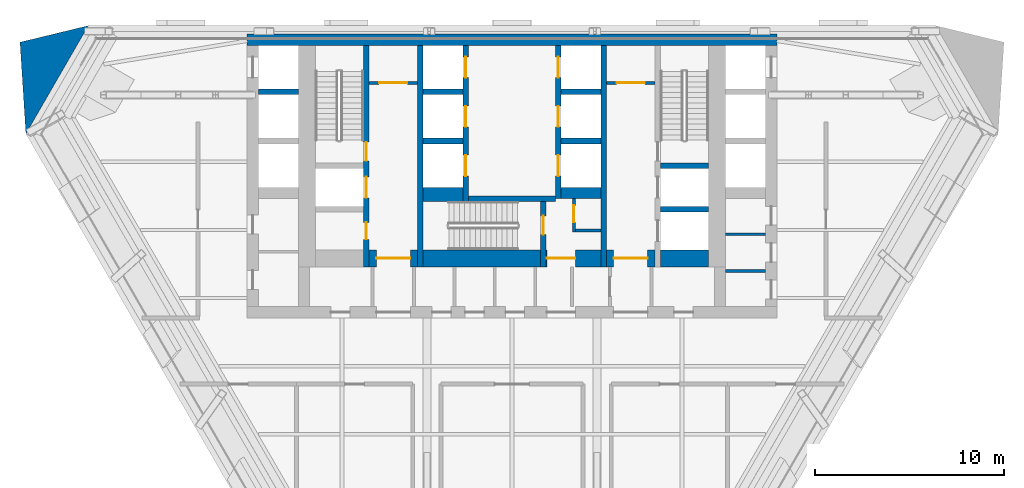
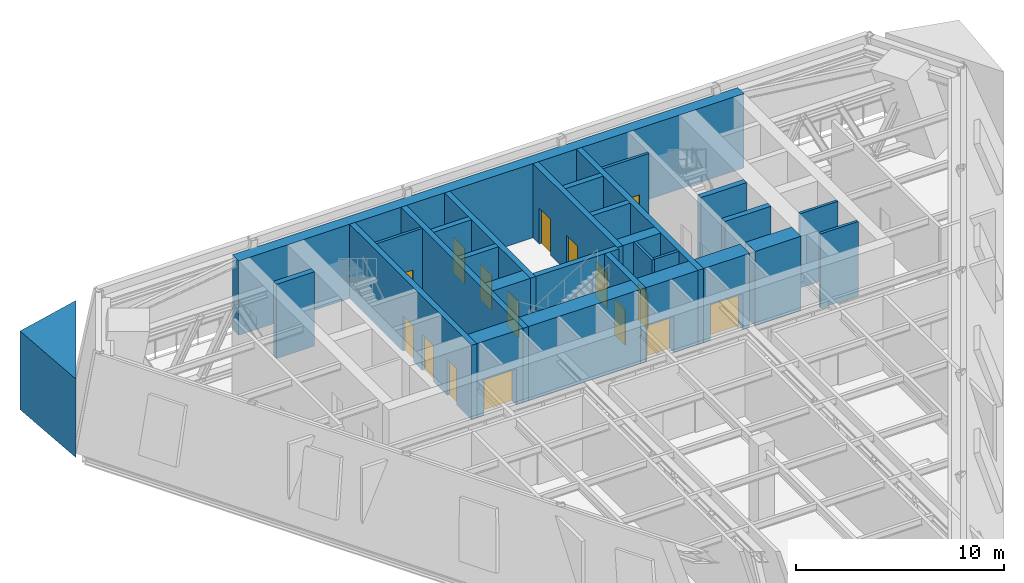
# One storey, part 4 of 9: 29 walls, 16 doors, 16 openings.
"""IFC4 building model written with IfcOpenShell, lengths in metres."""

from ifc_helpers import new_model, si_unit, direction, frame, frame_2d, origin, place, context, subcontext, project, spatial, polyline, rectangle, outline, extrude, material, layer, layer_set, type_object, element, fill, save


model = new_model("IFC4")

# Units and contexts
model_context = context("Model", 3, precision=1e-05, world=origin(), true_north=direction((0.0, 1.0)))
body_context = subcontext(model_context, "Body", "Model", "MODEL_VIEW")
ifc_project = project(units=[si_unit("LENGTHUNIT", "METRE"), si_unit("AREAUNIT", "SQUARE_METRE"), si_unit("VOLUMEUNIT", "CUBIC_METRE"), si_unit("PLANEANGLEUNIT", "RADIAN"), si_unit("MASSUNIT", "GRAM", prefix="KILO")], contexts=[model_context])

# Site, building, storey
site_placement = place(None, origin())
site = spatial("IfcSite", under=ifc_project, at=site_placement, CompositionType="ELEMENT")
building_placement = place(site_placement, origin())
building = spatial("IfcBuilding", under=site, at=building_placement, Name="Aloe Facet Convention Tower", CompositionType="ELEMENT")
storey_placement = place(building_placement, frame((0.0, 0.0, 77.0)))
storey = spatial("IfcBuildingStorey", under=building, at=storey_placement, Name="L18", CompositionType="ELEMENT", Elevation=77.0)

# Wall, opening, door
ifc_material_1 = material(Name="Concrete blockwork partition", Category="masonry")
ifc_layer_1 = layer(ifc_material_1, 0.14990234375)
ifc_layer_set_1 = layer_set([ifc_layer_1], Name="CR-W-PART150")
wall_type_1 = type_object("IfcWallType", Name="CR-W-PART150", PredefinedType="PARTITIONING", material=ifc_layer_set_1)
wall_1_placement = place(storey_placement, frame((72.449951171875, 131.97509765625, 0.0), z_axis=(0.0, 0.0, 1.0), x_axis=(1.0, 0.0, 0.0)))
wall_1 = element("IfcWall", 1, at=wall_1_placement, inside=storey, type_object=wall_type_1, Name="Core partition L18-014", PredefinedType="PARTITIONING", context=body_context, shape_type="SweptSolid", body=[
    extrude(rectangle(XDim=2.550048828125, YDim=0.14990234375, at=frame_2d((1.27490234375, 0.0))), origin(), (0.0, 0.0, 1.0), 4.35009765625),
])
opening_1_placement = place(wall_1_placement, frame((0.52490234375, 0.0, 0.0)))
opening_1 = element("IfcOpeningElement", 2, at=opening_1_placement, cuts=wall_1, Name="Opening L18-CD22", PredefinedType="OPENING", context=body_context, shape_type="SweptSolid", body=[
    extrude(rectangle(XDim=1.5, YDim=2.10009765625, at=frame_2d((0.75, 1.050048828125))), frame((0.0, 0.0849609375, 0.0), z_axis=(0.0, -1.0, 0.0), x_axis=(1.0, 0.0, 0.0)), (0.0, 0.0, 1.0), 0.169921875),
])
ifc_material_2 = material(Name="Steel fire-resisting door set FD60", Category="steel")
door_type_1 = type_object("IfcDoorType", Name="CR-D-REFUGE-1500-FD60-DD", OperationType="DOUBLE_DOOR_DOUBLE_SWING", PredefinedType="DOOR", material=ifc_material_2)
door_1_placement = place(opening_1_placement, origin())
door_1 = element("IfcDoor", 3, at=door_1_placement, inside=storey, type_object=door_type_1, Name="Core door L18-CD22", OperationType="DOUBLE_DOOR_DOUBLE_SWING", OverallHeight=2.10009765625, OverallWidth=1.5, PredefinedType="DOOR", context=body_context, shape_type="SweptSolid", body=[
    extrude(rectangle(XDim=1.5, YDim=2.10009765625, at=frame_2d((0.75, 1.050048828125))), frame((0.0, 0.02490234375, 0.0), z_axis=(0.0, -1.0, 0.0), x_axis=(1.0, 0.0, 0.0)), (0.0, 0.0, 1.0), 0.050048828125),
])
fill(opening_1, door_1)

wall_2_placement = place(storey_placement, frame((83.27490234375, 125.85009765625, 0.0), z_axis=(0.0, 0.0, 1.0), x_axis=(0.0, -1.0, 0.0)))
wall_2 = element("IfcWall", 4, at=wall_2_placement, inside=storey, type_object=wall_type_1, Name="Core partition L18-035", PredefinedType="PARTITIONING", context=body_context, shape_type="SweptSolid", body=[
    extrude(rectangle(XDim=1.75, YDim=0.14990234375, at=frame_2d((0.875, 0.0))), origin(), (0.0, 0.0, 1.0), 4.35009765625),
])
opening_2_placement = place(wall_2_placement, frame((0.35009765625, 0.0, 0.0)))
opening_2 = element("IfcOpeningElement", 5, at=opening_2_placement, cuts=wall_2, Name="Opening L18-CD20", PredefinedType="OPENING", context=body_context, shape_type="SweptSolid", body=[
    extrude(rectangle(XDim=0.89990234375, YDim=2.10009765625, at=frame_2d((0.449951171875, 1.050048828125))), frame((0.0, 0.0849609375, 0.0), z_axis=(0.0, -1.0, 0.0), x_axis=(1.0, 0.0, 0.0)), (0.0, 0.0, 1.0), 0.169921875),
])
ifc_material_3 = material(Name="Steel fire-resisting door set FD60", Category="steel")
door_type_2 = type_object("IfcDoorType", Name="CR-D-REFUGE-900-FD60-SRIGHT", OperationType="SINGLE_SWING_RIGHT", PredefinedType="DOOR", material=ifc_material_3)
door_2_placement = place(opening_2_placement, origin())
door_2 = element("IfcDoor", 6, at=door_2_placement, inside=storey, type_object=door_type_2, Name="Core door L18-CD20", OperationType="SINGLE_SWING_RIGHT", OverallHeight=2.10009765625, OverallWidth=0.89990234375, PredefinedType="DOOR", context=body_context, shape_type="SweptSolid", body=[
    extrude(rectangle(XDim=0.89990234375, YDim=2.10009765625, at=frame_2d((0.449951171875, 1.050048828125))), frame((0.0, 0.02490234375, 0.0), z_axis=(0.0, -1.0, 0.0), x_axis=(1.0, 0.0, 0.0)), (0.0, 0.0, 1.0), 0.050048828125),
])
fill(opening_2, door_2)

# Wall
wall_3_placement = place(storey_placement, frame((83.35009765625, 124.175048828125, 0.0), z_axis=(0.0, 0.0, 1.0), x_axis=(1.0, 0.0, 0.0)))
element("IfcWall", 7, at=wall_3_placement, inside=storey, type_object=wall_type_1, Name="Core partition L18-036", PredefinedType="PARTITIONING", context=body_context, shape_type="SweptSolid", body=[
    extrude(rectangle(XDim=1.349853515625, YDim=0.14990234375, at=frame_2d((0.6748046875, 0.0))), origin(), (0.0, 0.0, 1.0), 4.35009765625),
])

# Wall, opening, door
wall_4_placement = place(storey_placement, frame((85.0, 131.97509765625, 0.0), z_axis=(0.0, 0.0, 1.0), x_axis=(1.0, 0.0, 0.0)))
wall_4 = element("IfcWall", 8, at=wall_4_placement, inside=storey, type_object=wall_type_1, Name="Core partition L18-038", PredefinedType="PARTITIONING", context=body_context, shape_type="SweptSolid", body=[
    extrude(rectangle(XDim=2.550048828125, YDim=0.14990234375, at=frame_2d((1.27490234375, 0.0))), origin(), (0.0, 0.0, 1.0), 4.35009765625),
])
opening_3_placement = place(wall_4_placement, frame((0.52490234375, 0.0, 0.0)))
opening_3 = element("IfcOpeningElement", 9, at=opening_3_placement, cuts=wall_4, Name="Opening L18-CD21", PredefinedType="OPENING", context=body_context, shape_type="SweptSolid", body=[
    extrude(rectangle(XDim=1.5, YDim=2.10009765625, at=frame_2d((0.75, 1.050048828125))), frame((0.0, 0.0849609375, 0.0), z_axis=(0.0, -1.0, 0.0), x_axis=(1.0, 0.0, 0.0)), (0.0, 0.0, 1.0), 0.169921875),
])
door_3_placement = place(opening_3_placement, origin())
door_3 = element("IfcDoor", 10, at=door_3_placement, inside=storey, type_object=door_type_1, Name="Core door L18-CD21", OperationType="DOUBLE_DOOR_DOUBLE_SWING", OverallHeight=2.10009765625, OverallWidth=1.5, PredefinedType="DOOR", context=body_context, shape_type="SweptSolid", body=[
    extrude(rectangle(XDim=1.5, YDim=2.10009765625, at=frame_2d((0.75, 1.050048828125))), frame((0.0, 0.02490234375, 0.0), z_axis=(0.0, -1.0, 0.0), x_axis=(1.0, 0.0, 0.0)), (0.0, 0.0, 1.0), 0.050048828125),
])
fill(opening_3, door_3)

# Walls
for number, where, z_axis, x_axis, name in (
    (11, (91.300048828125, 123.97509765625, 0.0), (0.0, 0.0, 1.0), (1.0, 0.0, 0.0), "Core partition L18-051"),
    (12, (91.300048828125, 122.02490234375, 0.0), (0.0, 0.0, 1.0), (1.0, 0.0, 0.0), "Core partition L18-052"),
):
    element("IfcWall", number, at=place(storey_placement, frame(where, z_axis=z_axis, x_axis=x_axis)), inside=storey, type_object=wall_type_1, Name=name, PredefinedType="PARTITIONING", context=body_context, shape_type="SweptSolid", body=[
        extrude(rectangle(XDim=2.099853515625, YDim=0.14990234375, at=frame_2d((1.0498046875, 0.0))), origin(), (0.0, 0.0, 1.0), 4.35009765625),
    ])
ifc_material_4 = material(Name="Concrete C80/95", Category="concrete")
ifc_layer_2 = layer(ifc_material_4, 0.300048828125)
ifc_layer_set_2 = layer_set([ifc_layer_2], Name="CR-W-RC300-C8095")
wall_type_2 = type_object("IfcWallType", Name="CR-W-RC300-C8095", PredefinedType="SOLIDWALL", material=ifc_layer_set_2)
wall_5_placement = place(storey_placement, frame((66.60009765625, 131.5, 0.0), z_axis=(0.0, 0.0, 1.0), x_axis=(1.0, 0.0, 0.0)))
element("IfcWall", 13, at=wall_5_placement, inside=storey, type_object=wall_type_2, Name="Core wall L18-004", PredefinedType="SOLIDWALL", context=body_context, shape_type="SweptSolid", body=[
    extrude(rectangle(XDim=2.099853515625, YDim=0.300048828125, at=frame_2d((1.0498046875, 0.0))), origin(), (0.0, 0.0, 1.0), 4.35009765625),
])

# Wall, openings, doors
wall_6_placement = place(storey_placement, frame((72.300048828125, 133.949951171875, 0.0), z_axis=(0.0, 0.0, 1.0), x_axis=(0.0, -1.0, 0.0)))
wall_6 = element("IfcWall", 14, at=wall_6_placement, inside=storey, type_object=wall_type_2, Name="Core wall L18-013", PredefinedType="SOLIDWALL", context=body_context, shape_type="SweptSolid", body=[
    extrude(rectangle(XDim=11.699951171875, YDim=0.300048828125, at=frame_2d((5.85009765625, 0.0))), origin(), (0.0, 0.0, 1.0), 4.35009765625),
])
opening_4_placement = place(wall_6_placement, frame((6.949951171875, 0.0, 0.0)))
opening_4 = element("IfcOpeningElement", 15, at=opening_4_placement, cuts=wall_6, Name="Opening LD-FF1-L18", PredefinedType="OPENING", context=body_context, shape_type="SweptSolid", body=[
    extrude(rectangle(XDim=1.10009765625, YDim=2.10009765625, at=frame_2d((0.550048828125, 1.050048828125))), frame((0.0, 0.16015625, 0.0), z_axis=(0.0, -1.0, 0.0), x_axis=(1.0, 0.0, 0.0)), (0.0, 0.0, 1.0), 0.320068359375),
])
opening_5_placement = place(wall_6_placement, frame((9.35009765625, 0.0, 0.0)))
opening_5 = element("IfcOpeningElement", 16, at=opening_5_placement, cuts=wall_6, Name="Opening L18-CD23", PredefinedType="OPENING", context=body_context, shape_type="SweptSolid", body=[
    extrude(rectangle(XDim=0.89990234375, YDim=2.10009765625, at=frame_2d((0.449951171875, 1.050048828125))), frame((0.0, 0.16015625, 0.0), z_axis=(0.0, -1.0, 0.0), x_axis=(1.0, 0.0, 0.0)), (0.0, 0.0, 1.0), 0.320068359375),
])
opening_6_placement = place(wall_6_placement, frame((5.10009765625, 0.0, 0.0)))
opening_6 = element("IfcOpeningElement", 17, at=opening_6_placement, cuts=wall_6, Name="Opening L18-CD30", PredefinedType="OPENING", context=body_context, shape_type="SweptSolid", body=[
    extrude(rectangle(XDim=1.0, YDim=2.10009765625, at=frame_2d((0.5, 1.050048828125))), frame((0.0, 0.16015625, 0.0), z_axis=(0.0, -1.0, 0.0), x_axis=(1.0, 0.0, 0.0)), (0.0, 0.0, 1.0), 0.320068359375),
])
ifc_material_5 = material(Name="Steel fire-resisting door set FD60", Category="steel")
door_type_3 = type_object("IfcDoorType", Name="CR-D-ROOM-900-FD60-SLEFT", OperationType="SINGLE_SWING_LEFT", PredefinedType="DOOR", material=ifc_material_5)
door_4_placement = place(opening_5_placement, origin())
door_4 = element("IfcDoor", 18, at=door_4_placement, inside=storey, type_object=door_type_3, Name="Core door L18-CD23", OperationType="SINGLE_SWING_LEFT", OverallHeight=2.10009765625, OverallWidth=0.89990234375, PredefinedType="DOOR", context=body_context, shape_type="SweptSolid", body=[
    extrude(rectangle(XDim=0.89990234375, YDim=2.10009765625, at=frame_2d((0.449951171875, 1.050048828125))), frame((0.0, 0.02490234375, 0.0), z_axis=(0.0, -1.0, 0.0), x_axis=(1.0, 0.0, 0.0)), (0.0, 0.0, 1.0), 0.050048828125),
])
fill(opening_5, door_4)
ifc_material_6 = material(Name="Steel fire-resisting door set FD120", Category="steel")
door_type_4 = type_object("IfcDoorType", Name="CR-D-STAIR-1000-FD120-SRIGHT", OperationType="SINGLE_SWING_RIGHT", PredefinedType="DOOR", material=ifc_material_6)
door_5_placement = place(opening_6_placement, origin())
door_5 = element("IfcDoor", 19, at=door_5_placement, inside=storey, type_object=door_type_4, Name="Core door L18-CD30", OperationType="SINGLE_SWING_RIGHT", OverallHeight=2.10009765625, OverallWidth=1.0, PredefinedType="DOOR", context=body_context, shape_type="SweptSolid", body=[
    extrude(rectangle(XDim=1.0, YDim=2.10009765625, at=frame_2d((0.5, 1.050048828125))), frame((0.0, 0.02490234375, 0.0), z_axis=(0.0, -1.0, 0.0), x_axis=(1.0, 0.0, 0.0)), (0.0, 0.0, 1.0), 0.050048828125),
])
fill(opening_6, door_5)
ifc_material_7 = material(Name="Stainless steel sliding landing door", Category="steel")
door_type_5 = type_object("IfcDoorType", Name="CR-LD-1100-FD120-_LEFT", OperationType="SLIDING_TO_LEFT", PredefinedType="DOOR", material=ifc_material_7)
door_6_placement = place(opening_4_placement, origin())
door_6 = element("IfcDoor", 20, at=door_6_placement, inside=storey, type_object=door_type_5, Name="Landing door FF1 L18", OperationType="SLIDING_TO_LEFT", OverallHeight=2.10009765625, OverallWidth=1.10009765625, PredefinedType="DOOR", context=body_context, shape_type="SweptSolid", body=[
    extrude(rectangle(XDim=1.10009765625, YDim=2.10009765625, at=frame_2d((0.550048828125, 1.050048828125))), frame((0.0, 0.02490234375, 0.0), z_axis=(0.0, -1.0, 0.0), x_axis=(1.0, 0.0, 0.0)), (0.0, 0.0, 1.0), 0.050048828125),
])
fill(opening_4, door_6)

# Walls
wall_7_placement = place(storey_placement, frame((75.14990234375, 133.949951171875, 0.0), z_axis=(0.0, 0.0, 1.0), x_axis=(0.0, -1.0, 0.0)))
element("IfcWall", 21, at=wall_7_placement, inside=storey, type_object=wall_type_2, Name="Core wall L18-018", PredefinedType="SOLIDWALL", context=body_context, shape_type="SweptSolid", body=[
    extrude(rectangle(XDim=11.699951171875, YDim=0.300048828125, at=frame_2d((5.85009765625, 0.0))), origin(), (0.0, 0.0, 1.0), 4.35009765625),
])
for number, where, z_axis, x_axis, name in (
    (22, (75.300048828125, 131.5, 0.0), (0.0, 0.0, 1.0), (1.0, 0.0, 0.0), "Core wall L18-019"),
    (23, (75.300048828125, 128.89990234375, 0.0), (0.0, 0.0, 1.0), (1.0, 0.0, 0.0), "Core wall L18-020"),
):
    element("IfcWall", number, at=place(storey_placement, frame(where, z_axis=z_axis, x_axis=x_axis)), inside=storey, type_object=wall_type_2, Name=name, PredefinedType="SOLIDWALL", context=body_context, shape_type="SweptSolid", body=[
        extrude(rectangle(XDim=2.099853515625, YDim=0.300048828125, at=frame_2d((1.0498046875, 0.0))), origin(), (0.0, 0.0, 1.0), 4.35009765625),
    ])

# Wall, openings, doors
wall_8_placement = place(storey_placement, frame((77.550048828125, 133.949951171875, 0.0), z_axis=(0.0, 0.0, 1.0), x_axis=(0.0, -1.0, 0.0)))
wall_8 = element("IfcWall", 24, at=wall_8_placement, inside=storey, type_object=wall_type_2, Name="Core wall L18-024", PredefinedType="SOLIDWALL", context=body_context, shape_type="SweptSolid", body=[
    extrude(rectangle(XDim=8.25, YDim=0.300048828125, at=frame_2d((4.125, 0.0))), origin(), (0.0, 0.0, 1.0), 4.35009765625),
])
opening_7_placement = place(wall_8_placement, frame((0.60009765625, 0.0, 0.0)))
opening_7 = element("IfcOpeningElement", 25, at=opening_7_placement, cuts=wall_8, Name="Opening LD-A1-L18", PredefinedType="OPENING", context=body_context, shape_type="SweptSolid", body=[
    extrude(rectangle(XDim=1.10009765625, YDim=2.10009765625, at=frame_2d((0.550048828125, 1.050048828125))), frame((0.0, 0.16015625, 0.0), z_axis=(0.0, -1.0, 0.0), x_axis=(1.0, 0.0, 0.0)), (0.0, 0.0, 1.0), 0.320068359375),
])
opening_8_placement = place(wall_8_placement, frame((3.199951171875, 0.0, 0.0)))
opening_8 = element("IfcOpeningElement", 26, at=opening_8_placement, cuts=wall_8, Name="Opening LD-A2-L18", PredefinedType="OPENING", context=body_context, shape_type="SweptSolid", body=[
    extrude(rectangle(XDim=1.10009765625, YDim=2.10009765625, at=frame_2d((0.550048828125, 1.050048828125))), frame((0.0, 0.16015625, 0.0), z_axis=(0.0, -1.0, 0.0), x_axis=(1.0, 0.0, 0.0)), (0.0, 0.0, 1.0), 0.320068359375),
])
opening_9_placement = place(wall_8_placement, frame((5.800048828125, 0.0, 0.0)))
opening_9 = element("IfcOpeningElement", 27, at=opening_9_placement, cuts=wall_8, Name="Opening LD-A3-L18", PredefinedType="OPENING", context=body_context, shape_type="SweptSolid", body=[
    extrude(rectangle(XDim=1.10009765625, YDim=2.10009765625, at=frame_2d((0.550048828125, 1.050048828125))), frame((0.0, 0.16015625, 0.0), z_axis=(0.0, -1.0, 0.0), x_axis=(1.0, 0.0, 0.0)), (0.0, 0.0, 1.0), 0.320068359375),
])
ifc_material_8 = material(Name="Stainless steel sliding landing door", Category="steel")
door_type_6 = type_object("IfcDoorType", Name="CR-LD-1100-FD60-RIGHT", OperationType="SLIDING_TO_RIGHT", PredefinedType="DOOR", material=ifc_material_8)
door_7_placement = place(opening_7_placement, origin())
door_7 = element("IfcDoor", 28, at=door_7_placement, inside=storey, type_object=door_type_6, Name="Landing door A1 L18", OperationType="SLIDING_TO_RIGHT", OverallHeight=2.10009765625, OverallWidth=1.10009765625, PredefinedType="DOOR", context=body_context, shape_type="SweptSolid", body=[
    extrude(rectangle(XDim=1.10009765625, YDim=2.10009765625, at=frame_2d((0.550048828125, 1.050048828125))), frame((0.0, 0.02490234375, 0.0), z_axis=(0.0, -1.0, 0.0), x_axis=(1.0, 0.0, 0.0)), (0.0, 0.0, 1.0), 0.050048828125),
])
fill(opening_7, door_7)
door_8_placement = place(opening_8_placement, origin())
door_8 = element("IfcDoor", 29, at=door_8_placement, inside=storey, type_object=door_type_6, Name="Landing door A2 L18", OperationType="SLIDING_TO_RIGHT", OverallHeight=2.10009765625, OverallWidth=1.10009765625, PredefinedType="DOOR", context=body_context, shape_type="SweptSolid", body=[
    extrude(rectangle(XDim=1.10009765625, YDim=2.10009765625, at=frame_2d((0.550048828125, 1.050048828125))), frame((0.0, 0.02490234375, 0.0), z_axis=(0.0, -1.0, 0.0), x_axis=(1.0, 0.0, 0.0)), (0.0, 0.0, 1.0), 0.050048828125),
])
fill(opening_8, door_8)
door_9_placement = place(opening_9_placement, origin())
door_9 = element("IfcDoor", 30, at=door_9_placement, inside=storey, type_object=door_type_6, Name="Landing door A3 L18", OperationType="SLIDING_TO_RIGHT", OverallHeight=2.10009765625, OverallWidth=1.10009765625, PredefinedType="DOOR", context=body_context, shape_type="SweptSolid", body=[
    extrude(rectangle(XDim=1.10009765625, YDim=2.10009765625, at=frame_2d((0.550048828125, 1.050048828125))), frame((0.0, 0.02490234375, 0.0), z_axis=(0.0, -1.0, 0.0), x_axis=(1.0, 0.0, 0.0)), (0.0, 0.0, 1.0), 0.050048828125),
])
fill(opening_9, door_9)

# Wall
wall_9_placement = place(storey_placement, frame((77.699951171875, 125.85009765625, 0.0), z_axis=(0.0, 0.0, 1.0), x_axis=(1.0, 0.0, 0.0)))
element("IfcWall", 31, at=wall_9_placement, inside=storey, type_object=wall_type_2, Name="Core wall L18-025", PredefinedType="SOLIDWALL", context=body_context, shape_type="SweptSolid", body=[
    extrude(rectangle(XDim=4.60009765625, YDim=0.300048828125, at=frame_2d((2.300048828125, 0.0))), origin(), (0.0, 0.0, 1.0), 4.35009765625),
])

# Wall, opening, door
wall_10_placement = place(storey_placement, frame((81.64990234375, 125.699951171875, 0.0), z_axis=(0.0, 0.0, 1.0), x_axis=(0.0, -1.0, 0.0)))
wall_10 = element("IfcWall", 32, at=wall_10_placement, inside=storey, type_object=wall_type_2, Name="Core wall L18-028", PredefinedType="SOLIDWALL", context=body_context, shape_type="SweptSolid", body=[
    extrude(rectangle(XDim=3.449951171875, YDim=0.300048828125, at=frame_2d((1.72509765625, 0.0))), origin(), (0.0, 0.0, 1.0), 4.35009765625),
])
opening_10_placement = place(wall_10_placement, frame((0.75, 0.0, 0.0)))
opening_10 = element("IfcOpeningElement", 33, at=opening_10_placement, cuts=wall_10, Name="Opening L18-CD32", PredefinedType="OPENING", context=body_context, shape_type="SweptSolid", body=[
    extrude(rectangle(XDim=1.0, YDim=2.10009765625, at=frame_2d((0.5, 1.050048828125))), frame((0.0, 0.16015625, 0.0), z_axis=(0.0, -1.0, 0.0), x_axis=(1.0, 0.0, 0.0)), (0.0, 0.0, 1.0), 0.320068359375),
])
ifc_material_9 = material(Name="Steel fire-resisting door set FD120", Category="steel")
door_type_7 = type_object("IfcDoorType", Name="CR-D-STAIR-1000-FD120-SLEFT", OperationType="SINGLE_SWING_LEFT", PredefinedType="DOOR", material=ifc_material_9)
door_10_placement = place(opening_10_placement, origin())
door_10 = element("IfcDoor", 34, at=door_10_placement, inside=storey, type_object=door_type_7, Name="Core door L18-CD32", OperationType="SINGLE_SWING_LEFT", OverallHeight=2.10009765625, OverallWidth=1.0, PredefinedType="DOOR", context=body_context, shape_type="SweptSolid", body=[
    extrude(rectangle(XDim=1.0, YDim=2.10009765625, at=frame_2d((0.5, 1.050048828125))), frame((0.0, 0.02490234375, 0.0), z_axis=(0.0, -1.0, 0.0), x_axis=(1.0, 0.0, 0.0)), (0.0, 0.0, 1.0), 0.050048828125),
])
fill(opening_10, door_10)

# Wall, openings, doors
wall_11_placement = place(storey_placement, frame((82.449951171875, 133.949951171875, 0.0), z_axis=(0.0, 0.0, 1.0), x_axis=(0.0, -1.0, 0.0)))
wall_11 = element("IfcWall", 35, at=wall_11_placement, inside=storey, type_object=wall_type_2, Name="Core wall L18-030", PredefinedType="SOLIDWALL", context=body_context, shape_type="SweptSolid", body=[
    extrude(rectangle(XDim=8.099853515625, YDim=0.300048828125, at=frame_2d((4.0498046875, 0.0))), origin(), (0.0, 0.0, 1.0), 4.35009765625),
])
opening_11_placement = place(wall_11_placement, frame((0.60009765625, 0.0, 0.0)))
opening_11 = element("IfcOpeningElement", 36, at=opening_11_placement, cuts=wall_11, Name="Opening LD-A4-L18", PredefinedType="OPENING", context=body_context, shape_type="SweptSolid", body=[
    extrude(rectangle(XDim=1.10009765625, YDim=2.10009765625, at=frame_2d((0.550048828125, 1.050048828125))), frame((0.0, 0.16015625, 0.0), z_axis=(0.0, -1.0, 0.0), x_axis=(1.0, 0.0, 0.0)), (0.0, 0.0, 1.0), 0.320068359375),
])
opening_12_placement = place(wall_11_placement, frame((3.199951171875, 0.0, 0.0)))
opening_12 = element("IfcOpeningElement", 37, at=opening_12_placement, cuts=wall_11, Name="Opening LD-A5-L18", PredefinedType="OPENING", context=body_context, shape_type="SweptSolid", body=[
    extrude(rectangle(XDim=1.10009765625, YDim=2.10009765625, at=frame_2d((0.550048828125, 1.050048828125))), frame((0.0, 0.16015625, 0.0), z_axis=(0.0, -1.0, 0.0), x_axis=(1.0, 0.0, 0.0)), (0.0, 0.0, 1.0), 0.320068359375),
])
opening_13_placement = place(wall_11_placement, frame((5.800048828125, 0.0, 0.0)))
opening_13 = element("IfcOpeningElement", 38, at=opening_13_placement, cuts=wall_11, Name="Opening LD-A6-L18", PredefinedType="OPENING", context=body_context, shape_type="SweptSolid", body=[
    extrude(rectangle(XDim=1.10009765625, YDim=2.10009765625, at=frame_2d((0.550048828125, 1.050048828125))), frame((0.0, 0.16015625, 0.0), z_axis=(0.0, -1.0, 0.0), x_axis=(1.0, 0.0, 0.0)), (0.0, 0.0, 1.0), 0.320068359375),
])
ifc_material_10 = material(Name="Stainless steel sliding landing door", Category="steel")
door_type_8 = type_object("IfcDoorType", Name="CR-LD-1100-FD60-_LEFT", OperationType="SLIDING_TO_LEFT", PredefinedType="DOOR", material=ifc_material_10)
door_11_placement = place(opening_11_placement, origin())
door_11 = element("IfcDoor", 39, at=door_11_placement, inside=storey, type_object=door_type_8, Name="Landing door A4 L18", OperationType="SLIDING_TO_LEFT", OverallHeight=2.10009765625, OverallWidth=1.10009765625, PredefinedType="DOOR", context=body_context, shape_type="SweptSolid", body=[
    extrude(rectangle(XDim=1.10009765625, YDim=2.10009765625, at=frame_2d((0.550048828125, 1.050048828125))), frame((0.0, 0.02490234375, 0.0), z_axis=(0.0, -1.0, 0.0), x_axis=(1.0, 0.0, 0.0)), (0.0, 0.0, 1.0), 0.050048828125),
])
fill(opening_11, door_11)
door_12_placement = place(opening_12_placement, origin())
door_12 = element("IfcDoor", 40, at=door_12_placement, inside=storey, type_object=door_type_8, Name="Landing door A5 L18", OperationType="SLIDING_TO_LEFT", OverallHeight=2.10009765625, OverallWidth=1.10009765625, PredefinedType="DOOR", context=body_context, shape_type="SweptSolid", body=[
    extrude(rectangle(XDim=1.10009765625, YDim=2.10009765625, at=frame_2d((0.550048828125, 1.050048828125))), frame((0.0, 0.02490234375, 0.0), z_axis=(0.0, -1.0, 0.0), x_axis=(1.0, 0.0, 0.0)), (0.0, 0.0, 1.0), 0.050048828125),
])
fill(opening_12, door_12)
door_13_placement = place(opening_13_placement, origin())
door_13 = element("IfcDoor", 41, at=door_13_placement, inside=storey, type_object=door_type_8, Name="Landing door A6 L18", OperationType="SLIDING_TO_LEFT", OverallHeight=2.10009765625, OverallWidth=1.10009765625, PredefinedType="DOOR", context=body_context, shape_type="SweptSolid", body=[
    extrude(rectangle(XDim=1.10009765625, YDim=2.10009765625, at=frame_2d((0.550048828125, 1.050048828125))), frame((0.0, 0.02490234375, 0.0), z_axis=(0.0, -1.0, 0.0), x_axis=(1.0, 0.0, 0.0)), (0.0, 0.0, 1.0), 0.050048828125),
])
fill(opening_13, door_13)

# Walls
for number, where, z_axis, x_axis, name in (
    (42, (82.60009765625, 131.5, 0.0), (0.0, 0.0, 1.0), (1.0, 0.0, 0.0), "Core wall L18-031"),
    (43, (82.60009765625, 128.89990234375, 0.0), (0.0, 0.0, 1.0), (1.0, 0.0, 0.0), "Core wall L18-032"),
):
    element("IfcWall", number, at=place(storey_placement, frame(where, z_axis=z_axis, x_axis=x_axis)), inside=storey, type_object=wall_type_2, Name=name, PredefinedType="SOLIDWALL", context=body_context, shape_type="SweptSolid", body=[
        extrude(rectangle(XDim=2.099853515625, YDim=0.300048828125, at=frame_2d((1.0498046875, 0.0))), origin(), (0.0, 0.0, 1.0), 4.35009765625),
    ])
wall_12_placement = place(storey_placement, frame((84.85009765625, 133.949951171875, 0.0), z_axis=(0.0, 0.0, 1.0), x_axis=(0.0, -1.0, 0.0)))
element("IfcWall", 44, at=wall_12_placement, inside=storey, type_object=wall_type_2, Name="Core wall L18-037", PredefinedType="SOLIDWALL", context=body_context, shape_type="SweptSolid", body=[
    extrude(rectangle(XDim=11.699951171875, YDim=0.300048828125, at=frame_2d((5.85009765625, 0.0))), origin(), (0.0, 0.0, 1.0), 4.35009765625),
])
for number, where, z_axis, x_axis, name in (
    (45, (87.85009765625, 127.60009765625, 0.0), (0.0, 0.0, 1.0), (1.0, 0.0, 0.0), "Core wall L18-043"),
    (46, (87.85009765625, 125.300048828125, 0.0), (0.0, 0.0, 1.0), (1.0, 0.0, 0.0), "Core wall L18-044"),
):
    element("IfcWall", number, at=place(storey_placement, frame(where, z_axis=z_axis, x_axis=x_axis)), inside=storey, type_object=wall_type_2, Name=name, PredefinedType="SOLIDWALL", context=body_context, shape_type="SweptSolid", body=[
        extrude(rectangle(XDim=2.5498046875, YDim=0.300048828125, at=frame_2d((1.27490234375, 0.0))), origin(), (0.0, 0.0, 1.0), 4.35009765625),
    ])
ifc_material_11 = material(Name="Concrete C80/95", Category="concrete")
ifc_layer_3 = layer(ifc_material_11, 0.60009765625)
ifc_layer_set_3 = layer_set([ifc_layer_3], Name="CR-W-RC600-C8095")
wall_type_3 = type_object("IfcWallType", Name="CR-W-RC600-C8095", PredefinedType="SOLIDWALL", material=ifc_layer_set_3)
wall_13_placement = place(storey_placement, frame((66.0, 134.25, 0.0), z_axis=(0.0, 0.0, 1.0), x_axis=(1.0, 0.0, 0.0)))
element("IfcWall", 47, at=wall_13_placement, inside=storey, type_object=wall_type_3, Name="Core wall L18-001", PredefinedType="SOLIDWALL", context=body_context, shape_type="SweptSolid", body=[
    extrude(rectangle(XDim=28.0, YDim=0.60009765625, at=frame_2d((14.0, 0.0))), origin(), (0.0, 0.0, 1.0), 4.35009765625),
])
wall_14_placement = place(storey_placement, frame((82.60009765625, 126.14990234375, 0.0), z_axis=(0.0, 0.0, 1.0), x_axis=(1.0, 0.0, 0.0)))
element("IfcWall", 48, at=wall_14_placement, inside=storey, type_object=wall_type_3, Name="Core wall L18-033", PredefinedType="SOLIDWALL", context=body_context, shape_type="SweptSolid", body=[
    extrude(rectangle(XDim=2.099853515625, YDim=0.60009765625, at=frame_2d((1.0498046875, 0.0))), origin(), (0.0, 0.0, 1.0), 4.35009765625),
])
ifc_material_12 = material(Name="Concrete C80/95", Category="concrete")
ifc_layer_4 = layer(ifc_material_12, 0.75)
ifc_layer_set_4 = layer_set([ifc_layer_4], Name="CR-W-RC750-C8095")
wall_type_4 = type_object("IfcWallType", Name="CR-W-RC750-C8095", PredefinedType="SOLIDWALL", material=ifc_layer_set_4)
wall_15_placement = place(storey_placement, frame((75.300048828125, 126.074951171875, 0.0), z_axis=(0.0, 0.0, 1.0), x_axis=(1.0, 0.0, 0.0)))
element("IfcWall", 49, at=wall_15_placement, inside=storey, type_object=wall_type_4, Name="Core wall L18-021", PredefinedType="SOLIDWALL", context=body_context, shape_type="SweptSolid", body=[
    extrude(rectangle(XDim=2.099853515625, YDim=0.75, at=frame_2d((1.0498046875, 0.0))), origin(), (0.0, 0.0, 1.0), 4.35009765625),
])

# Wall, opening, door
ifc_material_13 = material(Name="Concrete C80/95", Category="concrete")
ifc_layer_5 = layer(ifc_material_13, 0.89990234375)
ifc_layer_set_5 = layer_set([ifc_layer_5], Name="CR-W-RC900-C8095")
wall_type_5 = type_object("IfcWallType", Name="CR-W-RC900-C8095", PredefinedType="SOLIDWALL", material=ifc_layer_set_5)
wall_16_placement = place(storey_placement, frame((72.449951171875, 122.699951171875, 0.0), z_axis=(0.0, 0.0, 1.0), x_axis=(1.0, 0.0, 0.0)))
wall_16 = element("IfcWall", 50, at=wall_16_placement, inside=storey, type_object=wall_type_5, Name="Core wall L18-015", PredefinedType="SOLIDWALL", context=body_context, shape_type="SweptSolid", body=[
    extrude(rectangle(XDim=2.550048828125, YDim=0.89990234375, at=frame_2d((1.27490234375, 0.0))), origin(), (0.0, 0.0, 1.0), 4.35009765625),
])
opening_14_placement = place(wall_16_placement, frame((0.375, 0.0, 0.0)))
opening_14 = element("IfcOpeningElement", 51, at=opening_14_placement, cuts=wall_16, Name="Opening L18-CD15", PredefinedType="OPENING", context=body_context, shape_type="SweptSolid", body=[
    extrude(rectangle(XDim=1.800048828125, YDim=2.10009765625, at=frame_2d((0.89990234375, 1.050048828125))), frame((0.0, 0.4599609375, 0.0), z_axis=(0.0, -1.0, 0.0), x_axis=(1.0, 0.0, 0.0)), (0.0, 0.0, 1.0), 0.919921875),
])
ifc_material_14 = material(Name="Steel fire-resisting door set FD120", Category="steel")
door_type_9 = type_object("IfcDoorType", Name="CR-D-EXIT-1800-FD120-DD", OperationType="DOUBLE_DOOR_DOUBLE_SWING", PredefinedType="DOOR", material=ifc_material_14)
door_14_placement = place(opening_14_placement, origin())
door_14 = element("IfcDoor", 52, at=door_14_placement, inside=storey, type_object=door_type_9, Name="Core door L18-CD15", OperationType="DOUBLE_DOOR_DOUBLE_SWING", OverallHeight=2.10009765625, OverallWidth=1.800048828125, PredefinedType="DOOR", context=body_context, shape_type="SweptSolid", body=[
    extrude(rectangle(XDim=1.800048828125, YDim=2.10009765625, at=frame_2d((0.89990234375, 1.050048828125))), frame((0.0, 0.02490234375, 0.0), z_axis=(0.0, -1.0, 0.0), x_axis=(1.0, 0.0, 0.0)), (0.0, 0.0, 1.0), 0.050048828125),
])
fill(opening_14, door_14)

# Wall
wall_17_placement = place(storey_placement, frame((75.300048828125, 122.699951171875, 0.0), z_axis=(0.0, 0.0, 1.0), x_axis=(1.0, 0.0, 0.0)))
element("IfcWall", 53, at=wall_17_placement, inside=storey, type_object=wall_type_5, Name="Core wall L18-022", PredefinedType="SOLIDWALL", context=body_context, shape_type="SweptSolid", body=[
    extrude(rectangle(XDim=6.199951171875, YDim=0.89990234375, at=frame_2d((3.10009765625, 0.0))), origin(), (0.0, 0.0, 1.0), 4.35009765625),
])

# Wall, opening, door
wall_18_placement = place(storey_placement, frame((81.800048828125, 122.699951171875, 0.0), z_axis=(0.0, 0.0, 1.0), x_axis=(1.0, 0.0, 0.0)))
wall_18 = element("IfcWall", 54, at=wall_18_placement, inside=storey, type_object=wall_type_5, Name="Core wall L18-029", PredefinedType="SOLIDWALL", context=body_context, shape_type="SweptSolid", body=[
    extrude(rectangle(XDim=2.89990234375, YDim=0.89990234375, at=frame_2d((1.449951171875, 0.0))), origin(), (0.0, 0.0, 1.0), 4.35009765625),
])
opening_15_placement = place(wall_18_placement, frame((0.050048828125, 0.0, 0.0)))
opening_15 = element("IfcOpeningElement", 55, at=opening_15_placement, cuts=wall_18, Name="Opening L18-CD16", PredefinedType="OPENING", context=body_context, shape_type="SweptSolid", body=[
    extrude(rectangle(XDim=1.5, YDim=2.10009765625, at=frame_2d((0.75, 1.050048828125))), frame((0.0, 0.4599609375, 0.0), z_axis=(0.0, -1.0, 0.0), x_axis=(1.0, 0.0, 0.0)), (0.0, 0.0, 1.0), 0.919921875),
])
ifc_material_15 = material(Name="Steel fire-resisting door set FD60", Category="steel")
door_type_10 = type_object("IfcDoorType", Name="CR-D-EXIT-1500-FD60-DD", OperationType="DOUBLE_DOOR_DOUBLE_SWING", PredefinedType="DOOR", material=ifc_material_15)
door_15_placement = place(opening_15_placement, origin())
door_15 = element("IfcDoor", 56, at=door_15_placement, inside=storey, type_object=door_type_10, Name="Core door L18-CD16", OperationType="DOUBLE_DOOR_DOUBLE_SWING", OverallHeight=2.10009765625, OverallWidth=1.5, PredefinedType="DOOR", context=body_context, shape_type="SweptSolid", body=[
    extrude(rectangle(XDim=1.5, YDim=2.10009765625, at=frame_2d((0.75, 1.050048828125))), frame((0.0, 0.02490234375, 0.0), z_axis=(0.0, -1.0, 0.0), x_axis=(1.0, 0.0, 0.0)), (0.0, 0.0, 1.0), 0.050048828125),
])
fill(opening_15, door_15)

wall_19_placement = place(storey_placement, frame((85.0, 122.699951171875, 0.0), z_axis=(0.0, 0.0, 1.0), x_axis=(1.0, 0.0, 0.0)))
wall_19 = element("IfcWall", 57, at=wall_19_placement, inside=storey, type_object=wall_type_5, Name="Core wall L18-039", PredefinedType="SOLIDWALL", context=body_context, shape_type="SweptSolid", body=[
    extrude(rectangle(XDim=2.550048828125, YDim=0.89990234375, at=frame_2d((1.27490234375, 0.0))), origin(), (0.0, 0.0, 1.0), 4.35009765625),
])
opening_16_placement = place(wall_19_placement, frame((0.375, 0.0, 0.0)))
opening_16 = element("IfcOpeningElement", 58, at=opening_16_placement, cuts=wall_19, Name="Opening L18-CD14", PredefinedType="OPENING", context=body_context, shape_type="SweptSolid", body=[
    extrude(rectangle(XDim=1.800048828125, YDim=2.10009765625, at=frame_2d((0.89990234375, 1.050048828125))), frame((0.0, 0.4599609375, 0.0), z_axis=(0.0, -1.0, 0.0), x_axis=(1.0, 0.0, 0.0)), (0.0, 0.0, 1.0), 0.919921875),
])
door_16_placement = place(opening_16_placement, origin())
door_16 = element("IfcDoor", 59, at=door_16_placement, inside=storey, type_object=door_type_9, Name="Core door L18-CD14", OperationType="DOUBLE_DOOR_DOUBLE_SWING", OverallHeight=2.10009765625, OverallWidth=1.800048828125, PredefinedType="DOOR", context=body_context, shape_type="SweptSolid", body=[
    extrude(rectangle(XDim=1.800048828125, YDim=2.10009765625, at=frame_2d((0.89990234375, 1.050048828125))), frame((0.0, 0.02490234375, 0.0), z_axis=(0.0, -1.0, 0.0), x_axis=(1.0, 0.0, 0.0)), (0.0, 0.0, 1.0), 0.050048828125),
])
fill(opening_16, door_16)

# Walls
wall_20_placement = place(storey_placement, frame((87.85009765625, 122.699951171875, 0.0), z_axis=(0.0, 0.0, 1.0), x_axis=(1.0, 0.0, 0.0)))
element("IfcWall", 60, at=wall_20_placement, inside=storey, type_object=wall_type_5, Name="Core wall L18-045", PredefinedType="SOLIDWALL", context=body_context, shape_type="SweptSolid", body=[
    extrude(rectangle(XDim=2.5498046875, YDim=0.89990234375, at=frame_2d((1.27490234375, 0.0))), origin(), (0.0, 0.0, 1.0), 4.35009765625),
])
ifc_material_16 = material(Name="Precast concrete C40/50", Category="concrete")
ifc_layer_6 = layer(ifc_material_16, 3.947998046875)
ifc_layer_set_6 = layer_set([ifc_layer_6], Name="EV-WALL-SPINE")
wall_type_6 = type_object("IfcWallType", Name="EV-WALL-SPINE", PredefinedType="SOLIDWALL", material=ifc_layer_set_6)
wall_21_placement = place(storey_placement, frame((0.0, 0.0, -0.25)))
element("IfcWall", 61, at=wall_21_placement, inside=storey, type_object=wall_type_6, Name="SP-NW-L18", PredefinedType="SOLIDWALL", context=body_context, shape_type="SweptSolid", body=[
    extrude(outline(polyline([(57.60009765625, 135.0), (53.988525390625, 134.125244140625), (54.300048828125, 129.2841796875), (57.60009765625, 135.0)])), origin(), (0.0, 0.0, 1.0), 4.60009765625),
])

save(model, "model.ifc")
